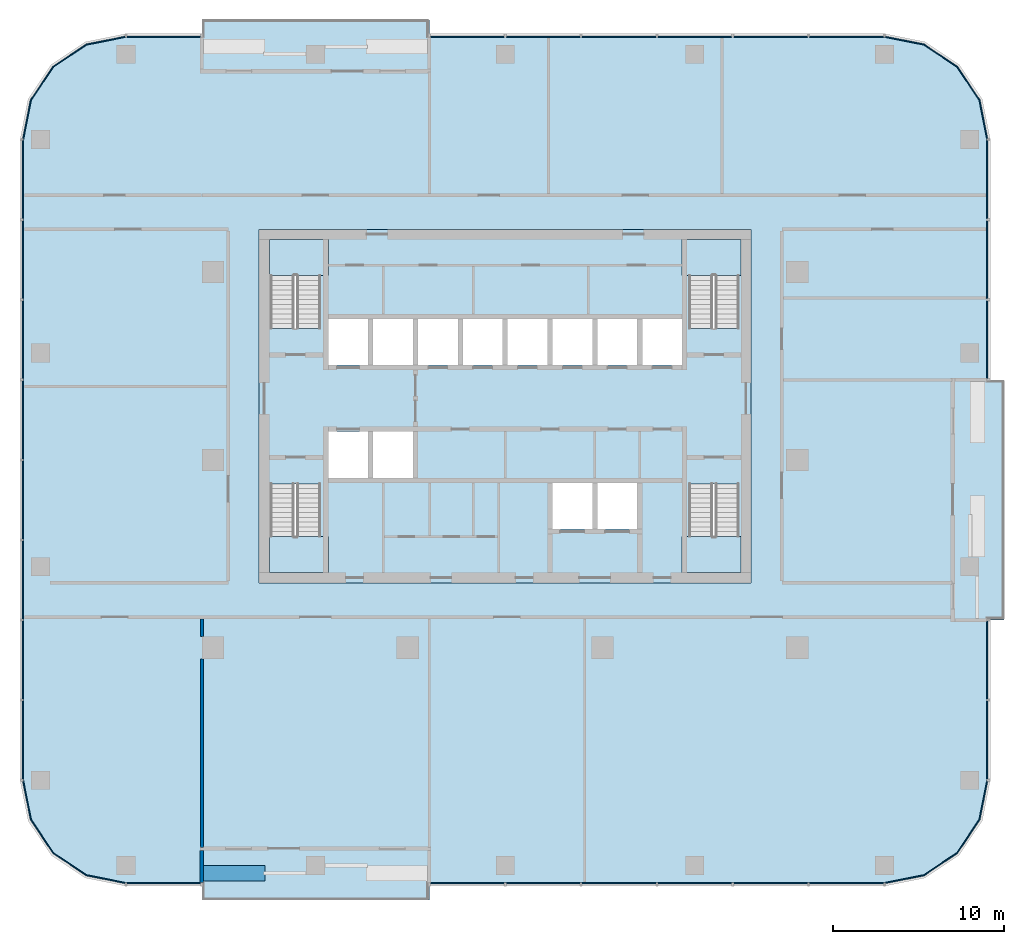
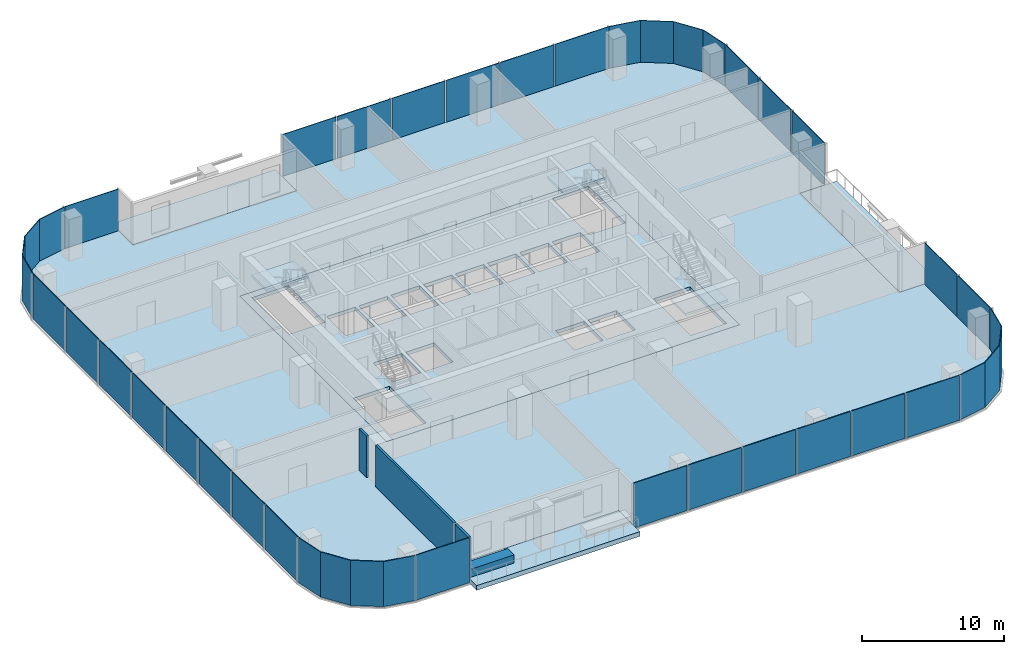
# One storey, part 6 of 14: 31 plates, 9 slabs, 4 walls, 15 elements without a shape of their own.
"""IFC4 building model written with IfcOpenShell, lengths in metres."""

from ifc_helpers import new_model, si_unit, direction, frame, frame_2d, origin, origin_2d, place, context, subcontext, project, spatial, polyline, rectangle, outline, extrude, material, layer, layer_set, type_object, element, aggregate, save


model = new_model("IFC4")

# Units and contexts
model_context = context("Model", 3, precision=1e-05, world=origin(), true_north=direction((0.0, 1.0)))
body_context = subcontext(model_context, "Body", "Model", "MODEL_VIEW")
ifc_project = project(units=[si_unit("LENGTHUNIT", "METRE"), si_unit("AREAUNIT", "SQUARE_METRE"), si_unit("VOLUMEUNIT", "CUBIC_METRE"), si_unit("PLANEANGLEUNIT", "RADIAN"), si_unit("MASSUNIT", "GRAM", prefix="KILO")], contexts=[model_context])

# Site, building, storey
site_placement = place(None, origin())
site = spatial("IfcSite", under=ifc_project, at=site_placement, CompositionType="ELEMENT")
building_placement = place(site_placement, origin())
building = spatial("IfcBuilding", under=site, at=building_placement, Name="Mopane Tessera Tower", CompositionType="ELEMENT")
storey_placement = place(building_placement, frame((0.0, 0.0, 215.0)))
storey = spatial("IfcBuildingStorey", under=building, at=storey_placement, Name="L45", CompositionType="ELEMENT", Elevation=215.0)

# Slab
ifc_material_1 = material(Name="Concrete C40/50", Category="concrete")
ifc_layer_1 = layer(ifc_material_1, 0.300048828125)
ifc_layer_set_1 = layer_set([ifc_layer_1], Name="Concrete C40/50")
slab_type_1 = type_object("IfcSlabType", Name="Core floor slab 300 mm", PredefinedType="FLOOR", material=ifc_layer_set_1)
slab_1_placement = place(storey_placement, frame((0.0, 0.0, -0.300048828125)))
element("IfcSlab", 1, at=slab_1_placement, inside=storey, type_object=slab_type_1, Name="L45 core floor slab", PredefinedType="FLOOR", context=body_context, shape_type="SweptSolid", body=[
    extrude(outline(polyline([(-14.39990234375, -7.199951171875), (14.39990234375, -7.199951171875), (14.39990234375, 13.5), (-14.39990234375, 13.5), (-14.39990234375, -7.199951171875)]), holes=[polyline([(-10.35009765625, -1.050048828125), (-8.02490234375, -1.050048828125), (-8.02490234375, 1.64990234375), (-10.35009765625, 1.64990234375), (-10.35009765625, -1.050048828125)]), polyline([(-7.72509765625, -1.050048828125), (-5.39990234375, -1.050048828125), (-5.39990234375, 1.64990234375), (-7.72509765625, 1.64990234375), (-7.72509765625, -1.050048828125)]), polyline([(-10.35009765625, 5.550048828125), (-8.02490234375, 5.550048828125), (-8.02490234375, 8.25), (-10.35009765625, 8.25), (-10.35009765625, 5.550048828125)]), polyline([(-7.72509765625, 5.550048828125), (-5.39990234375, 5.550048828125), (-5.39990234375, 8.25), (-7.72509765625, 8.25), (-7.72509765625, 5.550048828125)]), polyline([(-5.10009765625, 5.550048828125), (-2.77490234375, 5.550048828125), (-2.77490234375, 8.25), (-5.10009765625, 8.25), (-5.10009765625, 5.550048828125)]), polyline([(-2.47509765625, 5.550048828125), (-0.14990234375, 5.550048828125), (-0.14990234375, 8.25), (-2.47509765625, 8.25), (-2.47509765625, 5.550048828125)]), polyline([(0.14990234375, 5.550048828125), (2.47509765625, 5.550048828125), (2.47509765625, 8.25), (0.14990234375, 8.25), (0.14990234375, 5.550048828125)]), polyline([(2.77490234375, 5.550048828125), (5.10009765625, 5.550048828125), (5.10009765625, 8.25), (2.77490234375, 8.25), (2.77490234375, 5.550048828125)]), polyline([(5.39990234375, 5.550048828125), (7.72509765625, 5.550048828125), (7.72509765625, 8.25), (5.39990234375, 8.25), (5.39990234375, 5.550048828125)]), polyline([(8.02490234375, 5.550048828125), (10.35009765625, 5.550048828125), (10.35009765625, 8.25), (8.02490234375, 8.25), (8.02490234375, 5.550048828125)]), polyline([(2.77490234375, -4.050048828125), (5.10009765625, -4.050048828125), (5.10009765625, -1.35009765625), (2.77490234375, -1.35009765625), (2.77490234375, -4.050048828125)]), polyline([(5.39990234375, -4.050048828125), (7.72509765625, -4.050048828125), (7.72509765625, -1.35009765625), (5.39990234375, -1.35009765625), (5.39990234375, -4.050048828125)]), polyline([(-13.75, -1.405029296875), (-13.75, -6.60009765625), (-10.800048828125, -6.60009765625), (-10.800048828125, -1.405029296875), (-13.75, -1.405029296875)]), polyline([(-10.800048828125, 7.705078125), (-10.800048828125, 12.89990234375), (-13.75, 12.89990234375), (-13.75, 7.705078125), (-10.800048828125, 7.705078125)]), polyline([(10.75, -1.405029296875), (10.75, -6.60009765625), (13.699951171875, -6.60009765625), (13.699951171875, -1.405029296875), (10.75, -1.405029296875)]), polyline([(13.699951171875, 7.705078125), (13.699951171875, 12.89990234375), (10.75, 12.89990234375), (10.75, 7.705078125), (13.699951171875, 7.705078125)])]), origin(), (0.0, 0.0, 1.0), 0.300048828125),
])

# Stair, slab
ifc_material_2 = material(Name="Concrete C50/60", Category="concrete")
stair_type = type_object("IfcStairType", Name="Escape stair 1400 mm, riser 167 mm", PredefinedType="HALF_TURN_STAIR", material=ifc_material_2)
stair_1_placement = place(storey_placement, origin())
stair_1 = element("IfcStair", 2, at=stair_1_placement, inside=storey, type_object=stair_type, Name="L45 Escape stair south-west", PredefinedType="HALF_TURN_STAIR")
ifc_material_3 = material(Name="Concrete C50/60", Category="concrete")
ifc_layer_2 = layer(ifc_material_3, 0.199951171875)
ifc_layer_set_2 = layer_set([ifc_layer_2], Name="Concrete C50/60")
slab_type_2 = type_object("IfcSlabType", Name="Escape stair landing 200 mm", PredefinedType="LANDING", material=ifc_layer_set_2)
slab_2_placement = place(storey_placement, frame((0.0, 0.0, 1.800048828125)))
slab_2 = element("IfcSlab", 3, at=slab_2_placement, type_object=slab_type_2, Name="ST1 landing 1", PredefinedType="LANDING", context=body_context, shape_type="SweptSolid", body=[
    extrude(outline(polyline([(-13.800048828125, -4.47998046875), (-13.800048828125, -6.60009765625), (-10.35009765625, -6.60009765625), (-10.35009765625, -4.47998046875), (-13.800048828125, -4.47998046875)])), origin(), (0.0, 0.0, 1.0), 0.199951171875),
])
aggregate(stair_1, [slab_2])

stair_2_placement = place(storey_placement, origin())
stair_2 = element("IfcStair", 4, at=stair_2_placement, inside=storey, type_object=stair_type, Name="L45 Escape stair north-west", PredefinedType="HALF_TURN_STAIR")
slab_3_placement = place(storey_placement, frame((0.0, 0.0, 1.800048828125)))
slab_3 = element("IfcSlab", 5, at=slab_3_placement, type_object=slab_type_2, Name="ST2 landing 1", PredefinedType="LANDING", context=body_context, shape_type="SweptSolid", body=[
    extrude(outline(polyline([(-10.35009765625, 10.780029296875), (-10.35009765625, 12.89990234375), (-13.800048828125, 12.89990234375), (-13.800048828125, 10.780029296875), (-10.35009765625, 10.780029296875)])), origin(), (0.0, 0.0, 1.0), 0.199951171875),
])
aggregate(stair_2, [slab_3])

stair_3_placement = place(storey_placement, origin())
stair_3 = element("IfcStair", 6, at=stair_3_placement, inside=storey, type_object=stair_type, Name="L45 Escape stair south-east", PredefinedType="HALF_TURN_STAIR")
slab_4_placement = place(storey_placement, frame((0.0, 0.0, 1.800048828125)))
slab_4 = element("IfcSlab", 7, at=slab_4_placement, type_object=slab_type_2, Name="ST3 landing 1", PredefinedType="LANDING", context=body_context, shape_type="SweptSolid", body=[
    extrude(outline(polyline([(10.35009765625, -4.47998046875), (10.35009765625, -6.60009765625), (13.800048828125, -6.60009765625), (13.800048828125, -4.47998046875), (10.35009765625, -4.47998046875)])), origin(), (0.0, 0.0, 1.0), 0.199951171875),
])
aggregate(stair_3, [slab_4])

stair_4_placement = place(storey_placement, origin())
stair_4 = element("IfcStair", 8, at=stair_4_placement, inside=storey, type_object=stair_type, Name="L45 Escape stair north-east", PredefinedType="HALF_TURN_STAIR")
slab_5_placement = place(storey_placement, frame((0.0, 0.0, 1.800048828125)))
slab_5 = element("IfcSlab", 9, at=slab_5_placement, type_object=slab_type_2, Name="ST4 landing 1", PredefinedType="LANDING", context=body_context, shape_type="SweptSolid", body=[
    extrude(outline(polyline([(13.800048828125, 10.780029296875), (13.800048828125, 12.89990234375), (10.35009765625, 12.89990234375), (10.35009765625, 10.780029296875), (13.800048828125, 10.780029296875)])), origin(), (0.0, 0.0, 1.0), 0.199951171875),
])
aggregate(stair_4, [slab_5])

# Slabs
ifc_material_4 = material(Name="Concrete C40/50", Category="concrete")
ifc_layer_3 = layer(ifc_material_4, 0.39990234375)
ifc_layer_set_3 = layer_set([ifc_layer_3], Name="Concrete C40/50")
slab_type_3 = type_object("IfcSlabType", Name="Planted terrace slab 400 mm", PredefinedType="FLOOR", material=ifc_layer_set_3)
slab_6_placement = place(storey_placement, frame((0.0, 0.0, -0.39990234375)))
element("IfcSlab", 10, at=slab_6_placement, inside=storey, type_object=slab_type_3, Name="Terrace slab N1 L45", PredefinedType="FLOOR", context=body_context, shape_type="SweptSolid", body=[
    extrude(outline(polyline([(-4.43994140625, -25.75), (-4.43994140625, -22.75), (-17.760009765625, -22.75), (-17.760009765625, -25.75), (-4.43994140625, -25.75)])), origin(), (0.0, 0.0, 1.0), 0.39990234375),
])
slab_7_placement = place(storey_placement, frame((0.0, 0.0, -0.39990234375)))
element("IfcSlab", 11, at=slab_7_placement, inside=storey, type_object=slab_type_3, Name="Terrace slab N2 L45", PredefinedType="FLOOR", context=body_context, shape_type="SweptSolid", body=[
    extrude(outline(polyline([(29.199951171875, 4.6875), (26.199951171875, 4.6875), (26.199951171875, -9.375), (29.199951171875, -9.375), (29.199951171875, 4.6875)])), origin(), (0.0, 0.0, 1.0), 0.39990234375),
])
slab_8_placement = place(storey_placement, frame((0.0, 0.0, -0.39990234375)))
element("IfcSlab", 12, at=slab_8_placement, inside=storey, type_object=slab_type_3, Name="Terrace slab N3 L45", PredefinedType="FLOOR", context=body_context, shape_type="SweptSolid", body=[
    extrude(outline(polyline([(-17.760009765625, 25.75), (-17.760009765625, 22.75), (-4.43994140625, 22.75), (-4.43994140625, 25.75), (-17.760009765625, 25.75)])), origin(), (0.0, 0.0, 1.0), 0.39990234375),
])
ifc_material_5 = material(Name="Concrete C40/50", Category="concrete")
ifc_layer_4 = layer(ifc_material_5, 0.39990234375)
ifc_layer_set_4 = layer_set([ifc_layer_4], Name="Concrete C40/50")
slab_type_4 = type_object("IfcSlabType", Name="Post-tensioned flat plate 400 mm", PredefinedType="FLOOR", material=ifc_layer_set_4)
slab_9_placement = place(storey_placement, frame((0.0, 0.0, -0.39990234375)))
element("IfcSlab", 13, at=slab_9_placement, inside=storey, type_object=slab_type_4, Name="Floor slab L45", PredefinedType="FLOOR", context=body_context, shape_type="SweptSolid", body=[
    extrude(outline(polyline([(-22.199951171875, -24.75), (-17.760009765625, -24.75), (-17.760009765625, -22.75), (-4.43994140625, -22.75), (-4.43994140625, -24.75), (22.199951171875, -24.75), (24.49609375, -24.293212890625), (26.442626953125, -22.99267578125), (27.7431640625, -21.046142578125), (28.199951171875, -18.75), (28.199951171875, -9.375), (26.199951171875, -9.375), (26.199951171875, 4.6875), (28.199951171875, 4.6875), (28.199951171875, 18.75), (27.7431640625, 21.046142578125), (26.442626953125, 22.99267578125), (24.49609375, 24.293212890625), (22.199951171875, 24.75), (-4.43994140625, 24.75), (-4.43994140625, 22.75), (-17.760009765625, 22.75), (-17.760009765625, 24.75), (-22.199951171875, 24.75), (-24.49609375, 24.293212890625), (-26.442626953125, 22.99267578125), (-27.7431640625, 21.046142578125), (-28.199951171875, 18.75), (-28.199951171875, -18.75), (-27.7431640625, -21.046142578125), (-26.442626953125, -22.99267578125), (-24.49609375, -24.293212890625), (-22.199951171875, -24.75)]), holes=[polyline([(14.39990234375, -7.199951171875), (-14.39990234375, -7.199951171875), (-14.39990234375, 13.5), (14.39990234375, 13.5), (14.39990234375, -7.199951171875)])]), origin(), (0.0, 0.0, 1.0), 0.39990234375),
])

# Curtain wall, plate
ifc_material_6 = material(Name="Aluminium frame", Category="aluminium")
curtain_wall_type = type_object("IfcCurtainWallType", Name="Unitised curtain wall", PredefinedType="NOTDEFINED", material=ifc_material_6)
curtain_wall_1_placement = place(storey_placement, origin())
curtain_wall_1 = element("IfcCurtainWall", 14, at=curtain_wall_1_placement, inside=storey, type_object=curtain_wall_type, Name="e:cw:L45:S:0", PredefinedType="NOTDEFINED")
ifc_material_7 = material(Name="Clear laminated glass", Category="glass")
ifc_layer_5 = layer(ifc_material_7, 0.06005859375)
ifc_layer_set_5 = layer_set([ifc_layer_5], Name="Clear laminated glass")
plate_type = type_object("IfcPlateType", Name="Unitised glazed unit", PredefinedType="CURTAIN_PANEL", material=ifc_layer_set_5)
plate_1_placement = place(storey_placement, frame((-19.97998046875, -24.780029296875, -0.280029296875), z_axis=(0.0, 0.0, 1.0), x_axis=(1.0, 0.0, 0.0)))
plate_1 = element("IfcPlate", 15, at=plate_1_placement, type_object=plate_type, Name="e:cw:L45:S:0:pn0", PredefinedType="CURTAIN_PANEL", context=body_context, shape_type="SweptSolid", body=[
    extrude(rectangle(XDim=4.340087890625, YDim=0.06005859375, at=origin_2d()), origin(), (0.0, 0.0, 1.0), 3.8798828125),
])
aggregate(curtain_wall_1, [plate_1])

# Curtain wall, plates
curtain_wall_2_placement = place(storey_placement, origin())
curtain_wall_2 = element("IfcCurtainWall", 16, at=curtain_wall_2_placement, inside=storey, type_object=curtain_wall_type, Name="e:cw:L45:S:4", PredefinedType="NOTDEFINED")
plate_2_placement = place(storey_placement, frame((-2.219970703125, -24.780029296875, -0.280029296875), z_axis=(0.0, 0.0, 1.0), x_axis=(1.0, 0.0, 0.0)))
plate_2 = element("IfcPlate", 17, at=plate_2_placement, type_object=plate_type, Name="e:cw:L45:S:4:pn4", PredefinedType="CURTAIN_PANEL", context=body_context, shape_type="SweptSolid", body=[
    extrude(rectangle(XDim=4.340087890625, YDim=0.06005859375, at=origin_2d()), origin(), (0.0, 0.0, 1.0), 3.8798828125),
])
plate_3_placement = place(storey_placement, frame((2.219970703125, -24.780029296875, -0.280029296875), z_axis=(0.0, 0.0, 1.0), x_axis=(1.0, 0.0, 0.0)))
plate_3 = element("IfcPlate", 18, at=plate_3_placement, type_object=plate_type, Name="e:cw:L45:S:4:pn5", PredefinedType="CURTAIN_PANEL", context=body_context, shape_type="SweptSolid", body=[
    extrude(rectangle(XDim=4.340087890625, YDim=0.06005859375, at=origin_2d()), origin(), (0.0, 0.0, 1.0), 3.8798828125),
])
plate_4_placement = place(storey_placement, frame((6.659912109375, -24.780029296875, -0.280029296875), z_axis=(0.0, 0.0, 1.0), x_axis=(1.0, 0.0, 0.0)))
plate_4 = element("IfcPlate", 19, at=plate_4_placement, type_object=plate_type, Name="e:cw:L45:S:4:pn6", PredefinedType="CURTAIN_PANEL", context=body_context, shape_type="SweptSolid", body=[
    extrude(rectangle(XDim=4.340087890625, YDim=0.06005859375, at=origin_2d()), origin(), (0.0, 0.0, 1.0), 3.8798828125),
])
plate_5_placement = place(storey_placement, frame((11.10009765625, -24.780029296875, -0.280029296875), z_axis=(0.0, 0.0, 1.0), x_axis=(1.0, 0.0, 0.0)))
plate_5 = element("IfcPlate", 20, at=plate_5_placement, type_object=plate_type, Name="e:cw:L45:S:4:pn7", PredefinedType="CURTAIN_PANEL", context=body_context, shape_type="SweptSolid", body=[
    extrude(rectangle(XDim=4.340087890625, YDim=0.06005859375, at=origin_2d()), origin(), (0.0, 0.0, 1.0), 3.8798828125),
])
plate_6_placement = place(storey_placement, frame((15.5400390625, -24.780029296875, -0.280029296875), z_axis=(0.0, 0.0, 1.0), x_axis=(1.0, 0.0, 0.0)))
plate_6 = element("IfcPlate", 21, at=plate_6_placement, type_object=plate_type, Name="e:cw:L45:S:4:pn8", PredefinedType="CURTAIN_PANEL", context=body_context, shape_type="SweptSolid", body=[
    extrude(rectangle(XDim=4.340087890625, YDim=0.06005859375, at=origin_2d()), origin(), (0.0, 0.0, 1.0), 3.8798828125),
])
plate_7_placement = place(storey_placement, frame((19.97998046875, -24.780029296875, -0.280029296875), z_axis=(0.0, 0.0, 1.0), x_axis=(1.0, 0.0, 0.0)))
plate_7 = element("IfcPlate", 22, at=plate_7_placement, type_object=plate_type, Name="e:cw:L45:S:4:pn9", PredefinedType="CURTAIN_PANEL", context=body_context, shape_type="SweptSolid", body=[
    extrude(rectangle(XDim=4.340087890625, YDim=0.06005859375, at=origin_2d()), origin(), (0.0, 0.0, 1.0), 3.8798828125),
])
aggregate(curtain_wall_2, [plate_2, plate_3, plate_4, plate_5, plate_6, plate_7])

# Curtain wall, plate
curtain_wall_3_placement = place(storey_placement, origin())
curtain_wall_3 = element("IfcCurtainWall", 23, at=curtain_wall_3_placement, inside=storey, type_object=curtain_wall_type, Name="e:cw:L45:CS", PredefinedType="NOTDEFINED")
plate_8_placement = place(storey_placement, frame((0.0, 0.0, -0.280029296875)))
plate_8 = element("IfcPlate", 24, at=plate_8_placement, type_object=plate_type, Name="e:cw:L45:CS:pn", PredefinedType="CURTAIN_PANEL", context=body_context, shape_type="SweptSolid", body=[
    extrude(outline(polyline([(22.199951171875, -24.75), (24.49609375, -24.293212890625), (26.442626953125, -22.99267578125), (27.7431640625, -21.046142578125), (28.199951171875, -18.75), (28.260009765625, -18.75), (27.798828125, -21.069091796875), (26.485107421875, -23.03515625), (24.51904296875, -24.3486328125), (22.199951171875, -24.81005859375), (22.199951171875, -24.75)])), origin(), (0.0, 0.0, 1.0), 3.880126953125),
])
aggregate(curtain_wall_3, [plate_8])

# Curtain wall, plates
curtain_wall_4_placement = place(storey_placement, origin())
curtain_wall_4 = element("IfcCurtainWall", 25, at=curtain_wall_4_placement, inside=storey, type_object=curtain_wall_type, Name="e:cw:L45:E:0", PredefinedType="NOTDEFINED")
plate_9_placement = place(storey_placement, frame((28.22998046875, -16.40625, -0.280029296875), z_axis=(0.0, 0.0, 1.0), x_axis=(0.0, 1.0, 0.0)))
plate_9 = element("IfcPlate", 26, at=plate_9_placement, type_object=plate_type, Name="e:cw:L45:E:0:pn0", PredefinedType="CURTAIN_PANEL", context=body_context, shape_type="SweptSolid", body=[
    extrude(rectangle(XDim=4.58740234375, YDim=0.06005859375, at=origin_2d()), origin(), (0.0, 0.0, 1.0), 3.8798828125),
])
plate_10_placement = place(storey_placement, frame((28.22998046875, -11.71875, -0.280029296875), z_axis=(0.0, 0.0, 1.0), x_axis=(0.0, 1.0, 0.0)))
plate_10 = element("IfcPlate", 27, at=plate_10_placement, type_object=plate_type, Name="e:cw:L45:E:0:pn1", PredefinedType="CURTAIN_PANEL", context=body_context, shape_type="SweptSolid", body=[
    extrude(rectangle(XDim=4.58740234375, YDim=0.06005859375, at=origin_2d()), origin(), (0.0, 0.0, 1.0), 3.8798828125),
])
aggregate(curtain_wall_4, [plate_9, plate_10])

curtain_wall_5_placement = place(storey_placement, origin())
curtain_wall_5 = element("IfcCurtainWall", 28, at=curtain_wall_5_placement, inside=storey, type_object=curtain_wall_type, Name="e:cw:L45:E:5", PredefinedType="NOTDEFINED")
plate_11_placement = place(storey_placement, frame((28.22998046875, 7.03125, -0.280029296875), z_axis=(0.0, 0.0, 1.0), x_axis=(0.0, 1.0, 0.0)))
plate_11 = element("IfcPlate", 29, at=plate_11_placement, type_object=plate_type, Name="e:cw:L45:E:5:pn5", PredefinedType="CURTAIN_PANEL", context=body_context, shape_type="SweptSolid", body=[
    extrude(rectangle(XDim=4.58740234375, YDim=0.06005859375, at=origin_2d()), origin(), (0.0, 0.0, 1.0), 3.8798828125),
])
plate_12_placement = place(storey_placement, frame((28.22998046875, 11.71875, -0.280029296875), z_axis=(0.0, 0.0, 1.0), x_axis=(0.0, 1.0, 0.0)))
plate_12 = element("IfcPlate", 30, at=plate_12_placement, type_object=plate_type, Name="e:cw:L45:E:5:pn6", PredefinedType="CURTAIN_PANEL", context=body_context, shape_type="SweptSolid", body=[
    extrude(rectangle(XDim=4.58740234375, YDim=0.06005859375, at=origin_2d()), origin(), (0.0, 0.0, 1.0), 3.8798828125),
])
plate_13_placement = place(storey_placement, frame((28.22998046875, 16.40625, -0.280029296875), z_axis=(0.0, 0.0, 1.0), x_axis=(0.0, 1.0, 0.0)))
plate_13 = element("IfcPlate", 31, at=plate_13_placement, type_object=plate_type, Name="e:cw:L45:E:5:pn7", PredefinedType="CURTAIN_PANEL", context=body_context, shape_type="SweptSolid", body=[
    extrude(rectangle(XDim=4.58740234375, YDim=0.06005859375, at=origin_2d()), origin(), (0.0, 0.0, 1.0), 3.8798828125),
])
aggregate(curtain_wall_5, [plate_11, plate_12, plate_13])

# Curtain wall, plate
curtain_wall_6_placement = place(storey_placement, origin())
curtain_wall_6 = element("IfcCurtainWall", 32, at=curtain_wall_6_placement, inside=storey, type_object=curtain_wall_type, Name="e:cw:L45:CE", PredefinedType="NOTDEFINED")
plate_14_placement = place(storey_placement, frame((0.0, 0.0, -0.280029296875)))
plate_14 = element("IfcPlate", 33, at=plate_14_placement, type_object=plate_type, Name="e:cw:L45:CE:pn", PredefinedType="CURTAIN_PANEL", context=body_context, shape_type="SweptSolid", body=[
    extrude(outline(polyline([(28.199951171875, 18.75), (27.7431640625, 21.046142578125), (26.442626953125, 22.99267578125), (24.49609375, 24.293212890625), (22.199951171875, 24.75), (22.199951171875, 24.81005859375), (24.51904296875, 24.3486328125), (26.485107421875, 23.03515625), (27.798828125, 21.069091796875), (28.260009765625, 18.75), (28.199951171875, 18.75)])), origin(), (0.0, 0.0, 1.0), 3.880126953125),
])
aggregate(curtain_wall_6, [plate_14])

# Curtain wall, plates
curtain_wall_7_placement = place(storey_placement, origin())
curtain_wall_7 = element("IfcCurtainWall", 34, at=curtain_wall_7_placement, inside=storey, type_object=curtain_wall_type, Name="e:cw:L45:N:0", PredefinedType="NOTDEFINED")
plate_15_placement = place(storey_placement, frame((19.97998046875, 24.780029296875, -0.280029296875), z_axis=(0.0, 0.0, 1.0), x_axis=(-1.0, 0.0, 0.0)))
plate_15 = element("IfcPlate", 35, at=plate_15_placement, type_object=plate_type, Name="e:cw:L45:N:0:pn0", PredefinedType="CURTAIN_PANEL", context=body_context, shape_type="SweptSolid", body=[
    extrude(rectangle(XDim=4.340087890625, YDim=0.06005859375, at=origin_2d()), origin(), (0.0, 0.0, 1.0), 3.8798828125),
])
plate_16_placement = place(storey_placement, frame((15.5400390625, 24.780029296875, -0.280029296875), z_axis=(0.0, 0.0, 1.0), x_axis=(-1.0, 0.0, 0.0)))
plate_16 = element("IfcPlate", 36, at=plate_16_placement, type_object=plate_type, Name="e:cw:L45:N:0:pn1", PredefinedType="CURTAIN_PANEL", context=body_context, shape_type="SweptSolid", body=[
    extrude(rectangle(XDim=4.340087890625, YDim=0.06005859375, at=origin_2d()), origin(), (0.0, 0.0, 1.0), 3.8798828125),
])
plate_17_placement = place(storey_placement, frame((11.10009765625, 24.780029296875, -0.280029296875), z_axis=(0.0, 0.0, 1.0), x_axis=(-1.0, 0.0, 0.0)))
plate_17 = element("IfcPlate", 37, at=plate_17_placement, type_object=plate_type, Name="e:cw:L45:N:0:pn2", PredefinedType="CURTAIN_PANEL", context=body_context, shape_type="SweptSolid", body=[
    extrude(rectangle(XDim=4.340087890625, YDim=0.06005859375, at=origin_2d()), origin(), (0.0, 0.0, 1.0), 3.8798828125),
])
plate_18_placement = place(storey_placement, frame((6.659912109375, 24.780029296875, -0.280029296875), z_axis=(0.0, 0.0, 1.0), x_axis=(-1.0, 0.0, 0.0)))
plate_18 = element("IfcPlate", 38, at=plate_18_placement, type_object=plate_type, Name="e:cw:L45:N:0:pn3", PredefinedType="CURTAIN_PANEL", context=body_context, shape_type="SweptSolid", body=[
    extrude(rectangle(XDim=4.340087890625, YDim=0.06005859375, at=origin_2d()), origin(), (0.0, 0.0, 1.0), 3.8798828125),
])
plate_19_placement = place(storey_placement, frame((2.219970703125, 24.780029296875, -0.280029296875), z_axis=(0.0, 0.0, 1.0), x_axis=(-1.0, 0.0, 0.0)))
plate_19 = element("IfcPlate", 39, at=plate_19_placement, type_object=plate_type, Name="e:cw:L45:N:0:pn4", PredefinedType="CURTAIN_PANEL", context=body_context, shape_type="SweptSolid", body=[
    extrude(rectangle(XDim=4.340087890625, YDim=0.06005859375, at=origin_2d()), origin(), (0.0, 0.0, 1.0), 3.8798828125),
])
plate_20_placement = place(storey_placement, frame((-2.219970703125, 24.780029296875, -0.280029296875), z_axis=(0.0, 0.0, 1.0), x_axis=(-1.0, 0.0, 0.0)))
plate_20 = element("IfcPlate", 40, at=plate_20_placement, type_object=plate_type, Name="e:cw:L45:N:0:pn5", PredefinedType="CURTAIN_PANEL", context=body_context, shape_type="SweptSolid", body=[
    extrude(rectangle(XDim=4.340087890625, YDim=0.06005859375, at=origin_2d()), origin(), (0.0, 0.0, 1.0), 3.8798828125),
])
aggregate(curtain_wall_7, [plate_15, plate_16, plate_17, plate_18, plate_19, plate_20])

# Curtain wall, plate
curtain_wall_8_placement = place(storey_placement, origin())
curtain_wall_8 = element("IfcCurtainWall", 41, at=curtain_wall_8_placement, inside=storey, type_object=curtain_wall_type, Name="e:cw:L45:N:9", PredefinedType="NOTDEFINED")
plate_21_placement = place(storey_placement, frame((-19.97998046875, 24.780029296875, -0.280029296875), z_axis=(0.0, 0.0, 1.0), x_axis=(-1.0, 0.0, 0.0)))
plate_21 = element("IfcPlate", 42, at=plate_21_placement, type_object=plate_type, Name="e:cw:L45:N:9:pn9", PredefinedType="CURTAIN_PANEL", context=body_context, shape_type="SweptSolid", body=[
    extrude(rectangle(XDim=4.340087890625, YDim=0.06005859375, at=origin_2d()), origin(), (0.0, 0.0, 1.0), 3.8798828125),
])
aggregate(curtain_wall_8, [plate_21])

curtain_wall_9_placement = place(storey_placement, origin())
curtain_wall_9 = element("IfcCurtainWall", 43, at=curtain_wall_9_placement, inside=storey, type_object=curtain_wall_type, Name="e:cw:L45:CN", PredefinedType="NOTDEFINED")
plate_22_placement = place(storey_placement, frame((0.0, 0.0, -0.280029296875)))
plate_22 = element("IfcPlate", 44, at=plate_22_placement, type_object=plate_type, Name="e:cw:L45:CN:pn", PredefinedType="CURTAIN_PANEL", context=body_context, shape_type="SweptSolid", body=[
    extrude(outline(polyline([(-22.199951171875, 24.75), (-24.49609375, 24.293212890625), (-26.442626953125, 22.99267578125), (-27.7431640625, 21.046142578125), (-28.199951171875, 18.75), (-28.260009765625, 18.75), (-27.798828125, 21.069091796875), (-26.485107421875, 23.03515625), (-24.51904296875, 24.3486328125), (-22.199951171875, 24.81005859375), (-22.199951171875, 24.75)])), origin(), (0.0, 0.0, 1.0), 3.880126953125),
])
aggregate(curtain_wall_9, [plate_22])

# Curtain wall, plates
curtain_wall_10_placement = place(storey_placement, origin())
curtain_wall_10 = element("IfcCurtainWall", 45, at=curtain_wall_10_placement, inside=storey, type_object=curtain_wall_type, Name="e:cw:L45:W:0", PredefinedType="NOTDEFINED")
plate_23_placement = place(storey_placement, frame((-28.22998046875, 16.40625, -0.280029296875), z_axis=(0.0, 0.0, 1.0), x_axis=(0.0, -1.0, 0.0)))
plate_23 = element("IfcPlate", 46, at=plate_23_placement, type_object=plate_type, Name="e:cw:L45:W:0:pn0", PredefinedType="CURTAIN_PANEL", context=body_context, shape_type="SweptSolid", body=[
    extrude(rectangle(XDim=4.58740234375, YDim=0.06005859375, at=origin_2d()), origin(), (0.0, 0.0, 1.0), 3.8798828125),
])
plate_24_placement = place(storey_placement, frame((-28.22998046875, 11.71875, -0.280029296875), z_axis=(0.0, 0.0, 1.0), x_axis=(0.0, -1.0, 0.0)))
plate_24 = element("IfcPlate", 47, at=plate_24_placement, type_object=plate_type, Name="e:cw:L45:W:0:pn1", PredefinedType="CURTAIN_PANEL", context=body_context, shape_type="SweptSolid", body=[
    extrude(rectangle(XDim=4.58740234375, YDim=0.06005859375, at=origin_2d()), origin(), (0.0, 0.0, 1.0), 3.8798828125),
])
plate_25_placement = place(storey_placement, frame((-28.22998046875, 7.03125, -0.280029296875), z_axis=(0.0, 0.0, 1.0), x_axis=(0.0, -1.0, 0.0)))
plate_25 = element("IfcPlate", 48, at=plate_25_placement, type_object=plate_type, Name="e:cw:L45:W:0:pn2", PredefinedType="CURTAIN_PANEL", context=body_context, shape_type="SweptSolid", body=[
    extrude(rectangle(XDim=4.58740234375, YDim=0.06005859375, at=origin_2d()), origin(), (0.0, 0.0, 1.0), 3.8798828125),
])
plate_26_placement = place(storey_placement, frame((-28.22998046875, 2.34375, -0.280029296875), z_axis=(0.0, 0.0, 1.0), x_axis=(0.0, -1.0, 0.0)))
plate_26 = element("IfcPlate", 49, at=plate_26_placement, type_object=plate_type, Name="e:cw:L45:W:0:pn3", PredefinedType="CURTAIN_PANEL", context=body_context, shape_type="SweptSolid", body=[
    extrude(rectangle(XDim=4.58740234375, YDim=0.06005859375, at=origin_2d()), origin(), (0.0, 0.0, 1.0), 3.8798828125),
])
plate_27_placement = place(storey_placement, frame((-28.22998046875, -2.34375, -0.280029296875), z_axis=(0.0, 0.0, 1.0), x_axis=(0.0, -1.0, 0.0)))
plate_27 = element("IfcPlate", 50, at=plate_27_placement, type_object=plate_type, Name="e:cw:L45:W:0:pn4", PredefinedType="CURTAIN_PANEL", context=body_context, shape_type="SweptSolid", body=[
    extrude(rectangle(XDim=4.58740234375, YDim=0.06005859375, at=origin_2d()), origin(), (0.0, 0.0, 1.0), 3.8798828125),
])
plate_28_placement = place(storey_placement, frame((-28.22998046875, -7.03125, -0.280029296875), z_axis=(0.0, 0.0, 1.0), x_axis=(0.0, -1.0, 0.0)))
plate_28 = element("IfcPlate", 51, at=plate_28_placement, type_object=plate_type, Name="e:cw:L45:W:0:pn5", PredefinedType="CURTAIN_PANEL", context=body_context, shape_type="SweptSolid", body=[
    extrude(rectangle(XDim=4.58740234375, YDim=0.06005859375, at=origin_2d()), origin(), (0.0, 0.0, 1.0), 3.8798828125),
])
plate_29_placement = place(storey_placement, frame((-28.22998046875, -11.71875, -0.280029296875), z_axis=(0.0, 0.0, 1.0), x_axis=(0.0, -1.0, 0.0)))
plate_29 = element("IfcPlate", 52, at=plate_29_placement, type_object=plate_type, Name="e:cw:L45:W:0:pn6", PredefinedType="CURTAIN_PANEL", context=body_context, shape_type="SweptSolid", body=[
    extrude(rectangle(XDim=4.58740234375, YDim=0.06005859375, at=origin_2d()), origin(), (0.0, 0.0, 1.0), 3.8798828125),
])
plate_30_placement = place(storey_placement, frame((-28.22998046875, -16.40625, -0.280029296875), z_axis=(0.0, 0.0, 1.0), x_axis=(0.0, -1.0, 0.0)))
plate_30 = element("IfcPlate", 53, at=plate_30_placement, type_object=plate_type, Name="e:cw:L45:W:0:pn7", PredefinedType="CURTAIN_PANEL", context=body_context, shape_type="SweptSolid", body=[
    extrude(rectangle(XDim=4.58740234375, YDim=0.06005859375, at=origin_2d()), origin(), (0.0, 0.0, 1.0), 3.8798828125),
])
aggregate(curtain_wall_10, [plate_23, plate_24, plate_25, plate_26, plate_27, plate_28, plate_29, plate_30])

# Curtain wall, plate
curtain_wall_11_placement = place(storey_placement, origin())
curtain_wall_11 = element("IfcCurtainWall", 54, at=curtain_wall_11_placement, inside=storey, type_object=curtain_wall_type, Name="e:cw:L45:CW", PredefinedType="NOTDEFINED")
plate_31_placement = place(storey_placement, frame((0.0, 0.0, -0.280029296875)))
plate_31 = element("IfcPlate", 55, at=plate_31_placement, type_object=plate_type, Name="e:cw:L45:CW:pn", PredefinedType="CURTAIN_PANEL", context=body_context, shape_type="SweptSolid", body=[
    extrude(outline(polyline([(-28.199951171875, -18.75), (-27.7431640625, -21.046142578125), (-26.442626953125, -22.99267578125), (-24.49609375, -24.293212890625), (-22.199951171875, -24.75), (-22.199951171875, -24.81005859375), (-24.51904296875, -24.3486328125), (-26.485107421875, -23.03515625), (-27.798828125, -21.069091796875), (-28.260009765625, -18.75), (-28.199951171875, -18.75)])), origin(), (0.0, 0.0, 1.0), 3.880126953125),
])
aggregate(curtain_wall_11, [plate_31])

# Walls
ifc_material_8 = material(Name="Gypsum board on staggered steel studs, double layer each face, acoustic mineral wool infill", Category="steel")
ifc_layer_6 = layer(ifc_material_8, 0.175048828125)
ifc_layer_set_6 = layer_set([ifc_layer_6], Name="Gypsum board on staggered steel studs, double layer each face, acoustic mineral wool infill")
wall_type_1 = type_object("IfcWallType", Name="Gypsum board acoustic partition 175, rated EI 60", PredefinedType="PARTITIONING", material=ifc_layer_set_6)
wall_1_placement = place(storey_placement, frame((-17.760009765625, -22.699951171875, 0.0), z_axis=(0.0, 0.0, 1.0), x_axis=(0.0, 1.0, 0.0)))
element("IfcWall", 56, at=wall_1_placement, inside=storey, type_object=wall_type_1, Name="Partition L45:010", PredefinedType="PARTITIONING", context=body_context, shape_type="SweptSolid", body=[
    extrude(rectangle(XDim=11.050048828125, YDim=0.175048828125, at=frame_2d((5.52490234375, 0.0))), origin(), (0.0, 0.0, 1.0), 3.60009765625),
])
wall_2_placement = place(storey_placement, frame((-17.760009765625, -10.35009765625, 0.0), z_axis=(0.0, 0.0, 1.0), x_axis=(0.0, 1.0, 0.0)))
element("IfcWall", 57, at=wall_2_placement, inside=storey, type_object=wall_type_1, Name="Partition L45:011", PredefinedType="PARTITIONING", context=body_context, shape_type="SweptSolid", body=[
    extrude(rectangle(XDim=1.050048828125, YDim=0.175048828125, at=frame_2d((0.52490234375, 0.0))), origin(), (0.0, 0.0, 1.0), 3.60009765625),
])
ifc_material_9 = material(Name="Reinforced concrete C32/40 with waterproofing", Category="concrete")
ifc_layer_7 = layer(ifc_material_9, 0.89990234375)
ifc_layer_set_7 = layer_set([ifc_layer_7], Name="Reinforced concrete C32/40 with waterproofing")
wall_type_2 = type_object("IfcWallType", Name="Planter trough 3600 x 900", PredefinedType="STANDARD", material=ifc_layer_set_7)
wall_3_placement = place(storey_placement, frame((-17.659912109375, -24.199951171875, 0.0), z_axis=(0.0, 0.0, 1.0), x_axis=(1.0, 0.0, 0.0)))
element("IfcWall", 58, at=wall_3_placement, inside=storey, type_object=wall_type_2, Name="e:nw:L45:N1:pl0", PredefinedType="STANDARD", context=body_context, shape_type="SweptSolid", body=[
    extrude(rectangle(XDim=3.599853515625, YDim=0.89990234375, at=frame_2d((1.7998046875, 0.0))), origin(), (0.0, 0.0, 1.0), 0.699951171875),
])
ifc_material_10 = material(Name="Blockwork with glazed tile facing", Category="masonry")
ifc_layer_8 = layer(ifc_material_10, 0.199951171875)
ifc_layer_set_8 = layer_set([ifc_layer_8], Name="Blockwork with glazed tile facing")
wall_type_3 = type_object("IfcWallType", Name="Terrace cheek wall 200", PredefinedType="STANDARD", material=ifc_layer_set_8)
wall_4_placement = place(storey_placement, frame((-17.760009765625, -24.75, 0.0), z_axis=(0.0, 0.0, 1.0), x_axis=(0.0, 1.0, 0.0)))
element("IfcWall", 59, at=wall_4_placement, inside=storey, type_object=wall_type_3, Name="e:nw:L45:N1:cheeka", PredefinedType="STANDARD", context=body_context, shape_type="SweptSolid", body=[
    extrude(rectangle(XDim=1.875, YDim=0.199951171875, at=frame_2d((0.9375, 0.0))), origin(), (0.0, 0.0, 1.0), 3.60009765625),
])

save(model, "model.ifc")
